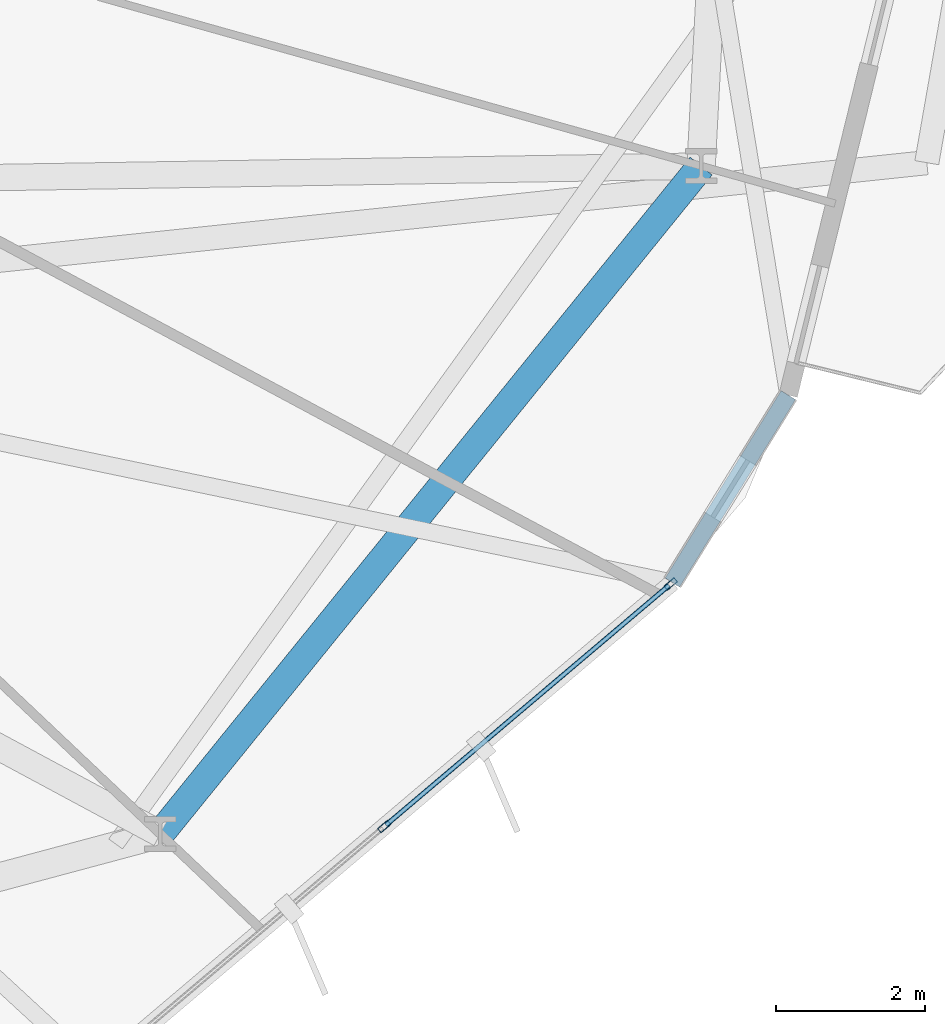
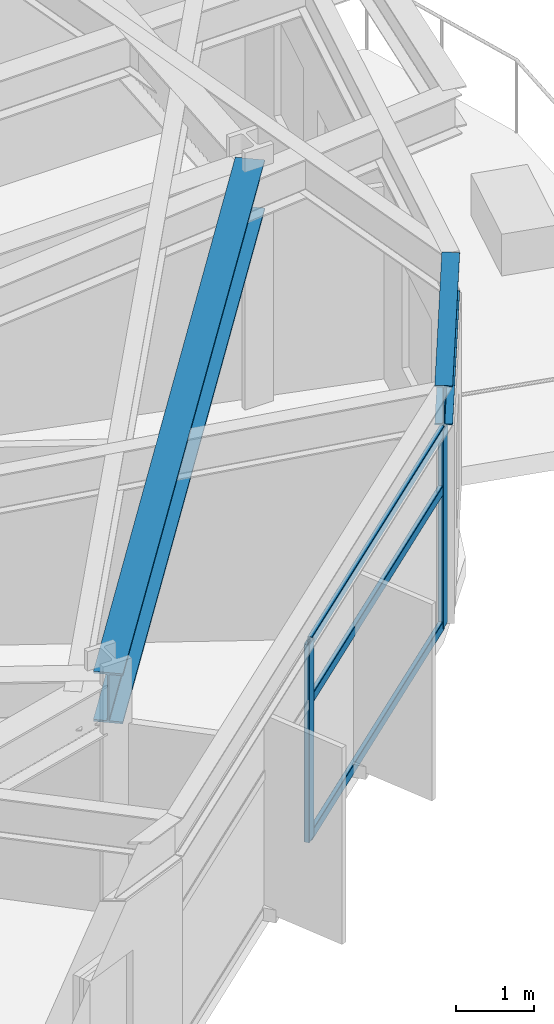
# One storey, part 9 of 22: 5 members, 2 beams, 1 element without a shape of its own.
"""IFC4 building model written with IfcOpenShell, lengths in metres."""

import ifcopenshell
import ifcopenshell.guid

model = None  # the IFC model being written
_history = None  # IfcOwnerHistory: only IFC2X3 demands one
_inside = {}  # id of a spatial element -> (the spatial element, [elements in it])
_under = {}  # id of a project, library or spatial element -> (it, [spatial elements below it])
_declared = {}  # id of a project -> (the project, [libraries it declares])
_typed = {}  # id of a type object -> (the type object, [elements of that type])
_made_of = {}  # id of a material, layer set ... -> (it, [elements and type objects made of it])


def new_model(schema):
    """Start an empty IFC model of exactly this schema.

    Asked for "IFC4X3", IfcOpenShell would pick the latest addendum, in which some entities
    have other attributes; the version numbers below select the first issue.
    IFC2X3 requires an IfcOwnerHistory on every rooted entity: one is made here for all.
    """
    global model, _history
    if schema == "IFC4X3":
        model = ifcopenshell.file(schema_version=(4, 3, 0, 0))
    else:
        model = ifcopenshell.file(schema=schema)
    _inside.clear()
    _under.clear()
    _declared.clear()
    _typed.clear()
    _made_of.clear()
    _history = None
    if model.schema == "IFC2X3":
        org = make("IfcOrganization", Name="unknown")
        user = make(
            "IfcPersonAndOrganization",
            ThePerson=make("IfcPerson", FamilyName="unknown"),
            TheOrganization=org,
        )
        app = make(
            "IfcApplication",
            ApplicationDeveloper=org,
            Version="unknown",
            ApplicationFullName="unknown",
            ApplicationIdentifier="unknown",
        )
        _history = make(
            "IfcOwnerHistory",
            OwningUser=user,
            OwningApplication=app,
            ChangeAction="ADDED",
            CreationDate=0,
        )
    return model


def make(cls, **values):
    """One entity of the class cls with the attributes given. An attribute that is None is left unset."""
    return model.create_entity(
        cls, **{name: value for name, value in values.items() if value is not None}
    )


def rooted(cls, **values):
    """An entity with a GlobalId (a new one), such as an element, a storey or a relation."""
    return make(cls, GlobalId=ifcopenshell.guid.new(), OwnerHistory=_history, **values)


def si_unit(unit_type, name, prefix=None):
    """IfcSIUnit, for example si_unit("LENGTHUNIT", "METRE", prefix="MILLI")."""
    return make("IfcSIUnit", UnitType=unit_type, Prefix=prefix, Name=name)


def assignment(units):
    """IfcUnitAssignment: the units of a project."""
    return None if units is None else make("IfcUnitAssignment", Units=units)


def point(xyz):
    """IfcCartesianPoint."""
    return None if xyz is None else make("IfcCartesianPoint", Coordinates=xyz)


def direction(xyz):
    """IfcDirection."""
    return None if xyz is None else make("IfcDirection", DirectionRatios=xyz)


def frame(location, z_axis=None, x_axis=None):
    """IfcAxis2Placement3D, a coordinate frame: its origin and axes. An axis left out is left unset."""
    return make(
        "IfcAxis2Placement3D",
        Location=point(location),
        Axis=direction(z_axis),
        RefDirection=direction(x_axis),
    )


def frame_2d(location, x_axis=None):
    """IfcAxis2Placement2D, a coordinate frame in the plane: its origin and x axis."""
    return make(
        "IfcAxis2Placement2D", Location=point(location), RefDirection=direction(x_axis)
    )


def origin():
    """The frame at (0, 0, 0) with its axes left unset."""
    return frame((0.0, 0.0, 0.0))


def origin_2d():
    """The frame at (0, 0) in the plane with its x axis left unset."""
    return frame_2d((0.0, 0.0))


def place(relative_to, where):
    """IfcLocalPlacement: puts the frame where relative to a parent placement (None: the world)."""
    return make(
        "IfcLocalPlacement", PlacementRelTo=relative_to, RelativePlacement=where
    )


def context(
    kind, dimensions, precision=None, world=None, true_north=None, identifier=None
):
    """IfcGeometricRepresentationContext, for example the 3D "Model" context."""
    return make(
        "IfcGeometricRepresentationContext",
        ContextIdentifier=identifier,
        ContextType=kind,
        CoordinateSpaceDimension=dimensions,
        Precision=precision,
        WorldCoordinateSystem=world,
        TrueNorth=true_north,
    )


def subcontext(parent, identifier, kind, view, scale=None):
    """IfcGeometricRepresentationSubContext, for example "Body" below "Model"."""
    return make(
        "IfcGeometricRepresentationSubContext",
        ContextIdentifier=identifier,
        ContextType=kind,
        ParentContext=parent,
        TargetScale=scale,
        TargetView=view,
    )


def project(units=None, contexts=None):
    """IfcProject with its units and contexts."""
    return rooted(
        "IfcProject",
        Name="project",
        RepresentationContexts=contexts,
        UnitsInContext=assignment(units),
    )


def spatial(cls, under=None, at=None, **own):
    """A site, building, storey or space (cls), placed at a placement, below another one or the project."""
    s = rooted(cls, ObjectPlacement=at, **own)
    if under is not None:
        _under.setdefault(under.id(), (under, []))[1].append(s)
    return s


def profile(cls, at=None, kind="AREA", **sizes):
    """A parametric profile (cls). Its sizes go by their IFC names, for example OverallWidth=200.0."""
    return make(cls, ProfileType=kind, Position=at, **sizes)


def hollow_rectangle(**sizes):
    """IfcRectangleHollowProfileDef."""
    return profile("IfcRectangleHollowProfileDef", **sizes)


def i_section(**sizes):
    """IfcIShapeProfileDef."""
    return profile("IfcIShapeProfileDef", **sizes)


def extrude(swept, where, along, depth):
    """IfcExtrudedAreaSolid: the profile swept, set in the frame where, extruded along a direction by depth."""
    return make(
        "IfcExtrudedAreaSolid",
        SweptArea=swept,
        Position=where,
        ExtrudedDirection=direction(along),
        Depth=depth,
    )


def shape(context_of_items, identifier, shape_type, items):
    """IfcShapeRepresentation: the items that make up one representation, for example the "Body"."""
    return make(
        "IfcShapeRepresentation",
        ContextOfItems=context_of_items,
        RepresentationIdentifier=identifier,
        RepresentationType=shape_type,
        Items=items,
    )


def material(Name=None, Category=None):
    """IfcMaterial."""
    return make("IfcMaterial", Name=Name, Category=Category)


def layer(
    of_material, thickness, ventilated=None, Name=None, Category=None, Priority=None
):
    """IfcMaterialLayer: one layer of a wall or slab, of a material (None: an air gap)."""
    return make(
        "IfcMaterialLayer",
        Material=of_material,
        LayerThickness=thickness,
        IsVentilated=ventilated,
        Name=Name,
        Category=Category,
        Priority=Priority,
    )


def layer_set(layers, Name=None):
    """IfcMaterialLayerSet."""
    return make("IfcMaterialLayerSet", MaterialLayers=layers, LayerSetName=Name)


def material_profile(
    of_material, cross_section, Name=None, Category=None, Priority=None
):
    """IfcMaterialProfile: a cross section and its material."""
    return make(
        "IfcMaterialProfile",
        Name=Name,
        Material=of_material,
        Profile=cross_section,
        Priority=Priority,
        Category=Category,
    )


def profile_set(profiles, Name=None, composite=None):
    """IfcMaterialProfileSet."""
    return make(
        "IfcMaterialProfileSet",
        Name=Name,
        MaterialProfiles=profiles,
        CompositeProfile=composite,
    )


def made_of(thing, what):
    """Note that an element or type object is made of a material, layer set ...; save() writes the relation."""
    if what is not None:
        _made_of.setdefault(what.id(), (what, []))[1].append(thing)
    return thing


def type_object(cls, material=None, **own):
    """A type object (cls), such as IfcWallType, which elements share."""
    return made_of(rooted(cls, **own), material)


def element(
    cls,
    number,
    at=None,
    inside=None,
    cuts=None,
    type_object=None,
    material=None,
    context=None,
    identifier="Body",
    shape_type=None,
    held_by="IfcProductDefinitionShape",
    body=None,
    shapes=None,
    **own,
):
    """One element of the class cls, such as IfcWall. Its Tag is "e" and its number.

    at: its placement. inside: the storey or other place that contains it. cuts: it is an
    opening in that element (IfcRelVoidsElement). A single representation is given by context,
    identifier, shape_type and body (its items); several are given by shapes. held_by: the class
    of the entity that holds the representations. save() writes the other relations.
    """
    e = rooted(cls, Tag="e%d" % number, ObjectPlacement=at, **own)
    if body is not None:
        shapes = [shape(context, identifier, shape_type, body)]
    if shapes is not None:
        e.Representation = make(held_by, Representations=shapes)
    if inside is not None:
        _inside.setdefault(inside.id(), (inside, []))[1].append(e)
    if cuts is not None:
        rooted(
            "IfcRelVoidsElement", RelatingBuildingElement=cuts, RelatedOpeningElement=e
        )
    if type_object is not None:
        _typed.setdefault(type_object.id(), (type_object, []))[1].append(e)
    return made_of(e, material)


def aggregate(whole, parts):
    """IfcRelAggregates: a whole, such as a stair, and the parts it consists of."""
    return rooted("IfcRelAggregates", RelatingObject=whole, RelatedObjects=parts)


def save(model, path):
    """Write the relations noted so far, then the file.

    IfcRelAggregates (storeys below a building ...), IfcRelContainedInSpatialStructure (elements
    in a storey), IfcRelDefinesByType, IfcRelAssociatesMaterial and IfcRelDeclares: one each for
    every whole, place, type object, material and project.
    """
    for whole, parts in _under.values():
        aggregate(whole, parts)
    for where, things in _inside.values():
        rooted(
            "IfcRelContainedInSpatialStructure",
            RelatedElements=things,
            RelatingStructure=where,
        )
    for kind, things in _typed.values():
        rooted("IfcRelDefinesByType", RelatedObjects=things, RelatingType=kind)
    for what, things in _made_of.values():
        rooted("IfcRelAssociatesMaterial", RelatedObjects=things, RelatingMaterial=what)
    for by, libraries in _declared.values():
        rooted("IfcRelDeclares", RelatingContext=by, RelatedDefinitions=libraries)
    model.write(path)


model = new_model("IFC4")

# Units and contexts
model_context = context("Model", 3, precision=1e-05, world=origin(), true_north=direction((0.0, 1.0)))
body_context = subcontext(model_context, "Body", "Model", "MODEL_VIEW")
ifc_project = project(units=[si_unit("LENGTHUNIT", "METRE"), si_unit("AREAUNIT", "SQUARE_METRE"), si_unit("VOLUMEUNIT", "CUBIC_METRE"), si_unit("PLANEANGLEUNIT", "RADIAN"), si_unit("MASSUNIT", "GRAM", prefix="KILO")], contexts=[model_context])

# Site, building, storey
site_placement = place(None, origin())
site = spatial("IfcSite", under=ifc_project, at=site_placement, CompositionType="ELEMENT")
building_placement = place(site_placement, origin())
building = spatial("IfcBuilding", under=site, at=building_placement, Name="Soratama Intermodal Tower", CompositionType="ELEMENT")
storey_placement = place(building_placement, frame((0.0, 0.0, 46.60009765625)))
storey = spatial("IfcBuildingStorey", under=building, at=storey_placement, Name="L10", CompositionType="ELEMENT", Elevation=46.60009765625)

# Beams
ifc_material_1 = material(Name="Structural steel ASTM A992 Grade 50", Category="steel")
ifc_material_profile_1 = material_profile(ifc_material_1, i_section(OverallWidth=0.382080078125, OverallDepth=0.779052734375, WebThickness=0.01806640625, FlangeThickness=0.030029296875, FilletRadius=0.01806640625, at=origin_2d()), Name="W30X191")
ifc_profile_set_1 = profile_set([ifc_material_profile_1], Name="Structural steel ASTM A992 Grade 50")
beam_type_1 = type_object("IfcBeamType", Name="BM-RING-W30X191", PredefinedType="BEAM", material=ifc_profile_set_1)
beam_1_placement = place(storey_placement, frame((55.196044921875, 9.300048828125, 3.310302734375), z_axis=(0.629334198857, 0.777134779912, 0.0), x_axis=(-0.777134779912, 0.629334198857, 0.0)))
element("IfcBeam", 1, at=beam_1_placement, inside=storey, type_object=beam_type_1, Name="BM-L10-RING-09", PredefinedType="BEAM", context=body_context, shape_type="SweptSolid", body=[
    extrude(i_section(OverallWidth=0.382080078125, OverallDepth=0.779052734375, WebThickness=0.01806640625, FlangeThickness=0.030029296875, FilletRadius=0.01806640625, at=origin_2d()), origin(), (0.0, 0.0, 1.0), 11.5693359375),
])
ifc_material_2 = material(Name="Structural steel ASTM A992 Grade 50", Category="steel")
ifc_material_profile_2 = material_profile(ifc_material_2, i_section(OverallWidth=0.22900390625, OverallDepth=0.612060546875, WebThickness=0.011962890625, FlangeThickness=0.01953125, FilletRadius=0.012939453125, at=origin_2d()), Name="W24X84")
ifc_profile_set_2 = profile_set([ifc_material_profile_2], Name="Structural steel ASTM A992 Grade 50")
beam_type_2 = type_object("IfcBeamType", Name="BM-SPN-W24X84", PredefinedType="SPANDREL", material=ifc_profile_set_2)
beam_2_placement = place(storey_placement, frame((62.090087890625, 12.68408203125, 3.393798828125), z_axis=(0.526102449535, 0.850421197168, 0.0), x_axis=(-0.850421197168, 0.526102449535, 0.0)))
element("IfcBeam", 2, at=beam_2_placement, inside=storey, type_object=beam_type_2, Name="BS-L10-CRN09", PredefinedType="SPANDREL", context=body_context, shape_type="SweptSolid", body=[
    extrude(i_section(OverallWidth=0.22900390625, OverallDepth=0.612060546875, WebThickness=0.011962890625, FlangeThickness=0.01953125, FilletRadius=0.012939453125, at=origin_2d()), origin(), (0.0, 0.0, 1.0), 2.966796875),
])

# Curtain wall, members
ifc_material_3 = material(Name="Double-glazed aluminium curtain wall", Category="aluminium")
ifc_layer = layer(ifc_material_3, 0.159912109375)
ifc_layer_set = layer_set([ifc_layer], Name="Double-glazed aluminium curtain wall")
curtain_wall_type = type_object("IfcCurtainWallType", Name="CW-SYS-2", PredefinedType="NOTDEFINED", material=ifc_layer_set)
curtain_wall_placement = place(storey_placement, origin())
curtain_wall = element("IfcCurtainWall", 3, at=curtain_wall_placement, inside=storey, type_object=curtain_wall_type, Name="L10 Faceted Curtain Wall F09", PredefinedType="NOTDEFINED")
ifc_material_4 = material(Name="Anodised aluminium AA 6063-T6", Category="aluminium")
ifc_material_profile_3 = material_profile(ifc_material_4, hollow_rectangle(XDim=0.074951171875, YDim=0.179931640625, WallThickness=0.006103515625, InnerFilletRadius=0.006103515625, OuterFilletRadius=0.011962890625, at=origin_2d()), Name="CWM180X75X6")
ifc_profile_set_3 = profile_set([ifc_material_profile_3], Name="Anodised aluminium AA 6063-T6")
member_type_1 = type_object("IfcMemberType", Name="MT-CWM-2", PredefinedType="MULLION", material=ifc_profile_set_3)
member_1_placement = place(storey_placement, frame((58.211181640625, 9.39990234375, 0.0), z_axis=(0.0, 0.0, 1.0), x_axis=(-0.646259255872, 0.763117929419, 0.0)))
member_1 = element("IfcMember", 4, at=member_1_placement, type_object=member_type_1, Name="CW-2 mullion 2", PredefinedType="MULLION", context=body_context, shape_type="SweptSolid", body=[
    extrude(hollow_rectangle(XDim=0.074951171875, YDim=0.179931640625, WallThickness=0.006103515625, InnerFilletRadius=0.006103515625, OuterFilletRadius=0.011962890625, at=origin_2d()), origin(), (0.0, 0.0, 1.0), 3.078857421875),
])
member_2_placement = place(storey_placement, frame((62.06689453125, 12.6650390625, 0.0), z_axis=(0.0, 0.0, 1.0), x_axis=(-0.646259255872, 0.763117929419, 0.0)))
member_2 = element("IfcMember", 5, at=member_2_placement, type_object=member_type_1, Name="CW-2 mullion 3", PredefinedType="MULLION", context=body_context, shape_type="SweptSolid", body=[
    extrude(hollow_rectangle(XDim=0.074951171875, YDim=0.179931640625, WallThickness=0.006103515625, InnerFilletRadius=0.006103515625, OuterFilletRadius=0.011962890625, at=origin_2d()), origin(), (0.0, 0.0, 1.0), 3.078857421875),
])
ifc_material_5 = material(Name="Anodised aluminium AA 6063-T6", Category="aluminium")
ifc_material_profile_4 = material_profile(ifc_material_5, hollow_rectangle(XDim=0.06494140625, YDim=0.14990234375, WallThickness=0.0048828125, InnerFilletRadius=0.0048828125, OuterFilletRadius=0.010009765625, at=origin_2d()), Name="CWT150X65X5")
ifc_profile_set_4 = profile_set([ifc_material_profile_4], Name="Anodised aluminium AA 6063-T6")
member_type_2 = type_object("IfcMemberType", Name="TT-CWT-1", PredefinedType="USERDEFINED", material=ifc_profile_set_4)
member_3_placement = place(storey_placement, frame((58.234130859375, 9.419189453125, 0.02978515625), z_axis=(0.763122840037, 0.646253457255, 0.0), x_axis=(-0.646253457255, 0.763122840037, 0.0)))
member_3 = element("IfcMember", 6, at=member_3_placement, type_object=member_type_2, Name="CW-2 transom 2.1", ObjectType="TRANSOM", PredefinedType="USERDEFINED", context=body_context, shape_type="SweptSolid", body=[
    extrude(hollow_rectangle(XDim=0.06494140625, YDim=0.14990234375, WallThickness=0.0048828125, InnerFilletRadius=0.0048828125, OuterFilletRadius=0.010009765625, at=origin_2d()), origin(), (0.0, 0.0, 1.0), 4.99267578125),
])
member_4_placement = place(storey_placement, frame((58.234130859375, 9.419189453125, 2.14990234375), z_axis=(0.763122840037, 0.646253457255, 0.0), x_axis=(-0.646253457255, 0.763122840037, 0.0)))
member_4 = element("IfcMember", 7, at=member_4_placement, type_object=member_type_2, Name="CW-2 transom 2.2", ObjectType="TRANSOM", PredefinedType="USERDEFINED", context=body_context, shape_type="SweptSolid", body=[
    extrude(hollow_rectangle(XDim=0.06494140625, YDim=0.14990234375, WallThickness=0.0048828125, InnerFilletRadius=0.0048828125, OuterFilletRadius=0.010009765625, at=origin_2d()), origin(), (0.0, 0.0, 1.0), 4.99267578125),
])
member_5_placement = place(storey_placement, frame((58.234130859375, 9.419189453125, 3.048828125), z_axis=(0.763122840037, 0.646253457255, 0.0), x_axis=(-0.646253457255, 0.763122840037, 0.0)))
member_5 = element("IfcMember", 8, at=member_5_placement, type_object=member_type_2, Name="CW-2 transom 2.3", ObjectType="TRANSOM", PredefinedType="USERDEFINED", context=body_context, shape_type="SweptSolid", body=[
    extrude(hollow_rectangle(XDim=0.06494140625, YDim=0.14990234375, WallThickness=0.0048828125, InnerFilletRadius=0.0048828125, OuterFilletRadius=0.010009765625, at=origin_2d()), origin(), (0.0, 0.0, 1.0), 4.99267578125),
])
aggregate(curtain_wall, [member_1, member_2, member_3, member_4, member_5])

save(model, "model.ifc")
